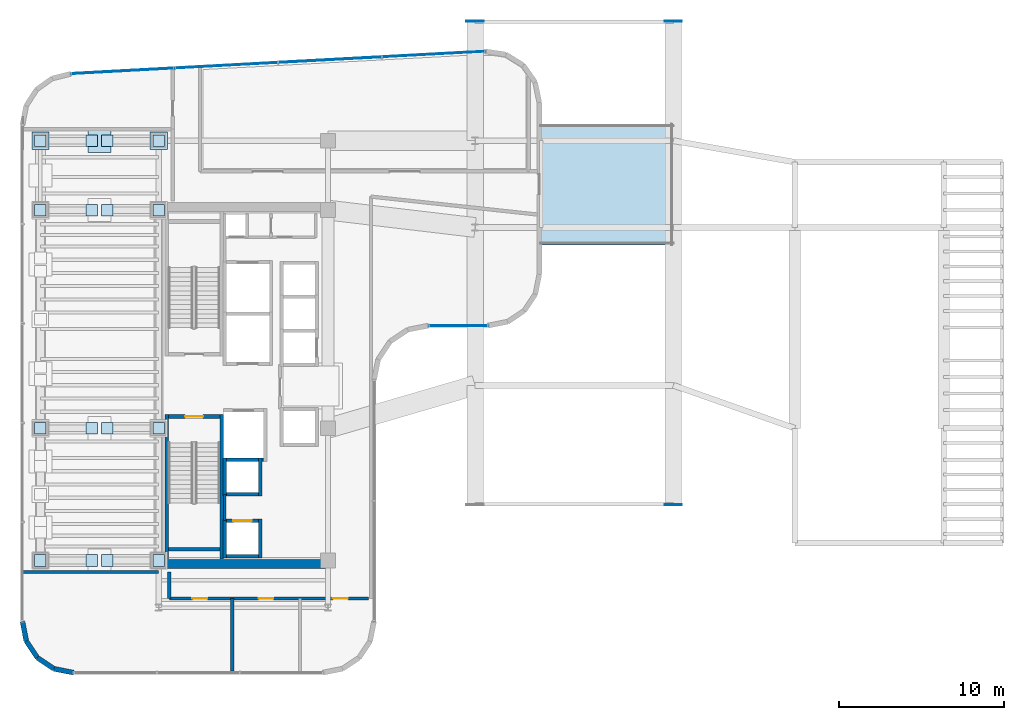
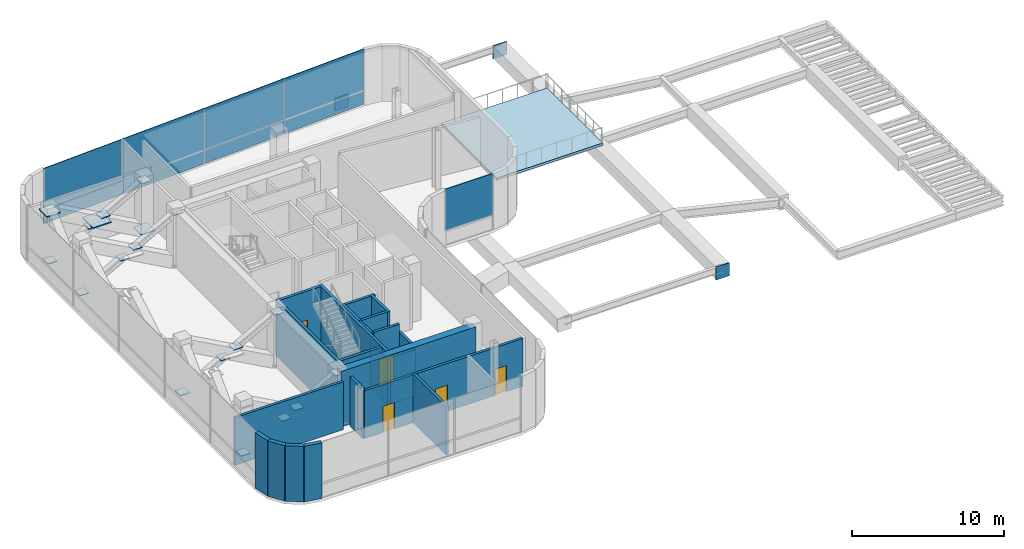
# One storey, part 16 of 20: 29 plates, 22 walls, 5 doors, 1 slab, 5 openings, 2 elements without a shape of their own.
"""IFC4 building model written with IfcOpenShell, lengths in metres."""

import ifcopenshell
import ifcopenshell.guid

model = None  # the IFC model being written
_history = None  # IfcOwnerHistory: only IFC2X3 demands one
_inside = {}  # id of a spatial element -> (the spatial element, [elements in it])
_under = {}  # id of a project, library or spatial element -> (it, [spatial elements below it])
_declared = {}  # id of a project -> (the project, [libraries it declares])
_typed = {}  # id of a type object -> (the type object, [elements of that type])
_made_of = {}  # id of a material, layer set ... -> (it, [elements and type objects made of it])


def new_model(schema):
    """Start an empty IFC model of exactly this schema.

    Asked for "IFC4X3", IfcOpenShell would pick the latest addendum, in which some entities
    have other attributes; the version numbers below select the first issue.
    IFC2X3 requires an IfcOwnerHistory on every rooted entity: one is made here for all.
    """
    global model, _history
    if schema == "IFC4X3":
        model = ifcopenshell.file(schema_version=(4, 3, 0, 0))
    else:
        model = ifcopenshell.file(schema=schema)
    _inside.clear()
    _under.clear()
    _declared.clear()
    _typed.clear()
    _made_of.clear()
    _history = None
    if model.schema == "IFC2X3":
        org = make("IfcOrganization", Name="unknown")
        user = make(
            "IfcPersonAndOrganization",
            ThePerson=make("IfcPerson", FamilyName="unknown"),
            TheOrganization=org,
        )
        app = make(
            "IfcApplication",
            ApplicationDeveloper=org,
            Version="unknown",
            ApplicationFullName="unknown",
            ApplicationIdentifier="unknown",
        )
        _history = make(
            "IfcOwnerHistory",
            OwningUser=user,
            OwningApplication=app,
            ChangeAction="ADDED",
            CreationDate=0,
        )
    return model


def make(cls, **values):
    """One entity of the class cls with the attributes given. An attribute that is None is left unset."""
    return model.create_entity(
        cls, **{name: value for name, value in values.items() if value is not None}
    )


def rooted(cls, **values):
    """An entity with a GlobalId (a new one), such as an element, a storey or a relation."""
    return make(cls, GlobalId=ifcopenshell.guid.new(), OwnerHistory=_history, **values)


def si_unit(unit_type, name, prefix=None):
    """IfcSIUnit, for example si_unit("LENGTHUNIT", "METRE", prefix="MILLI")."""
    return make("IfcSIUnit", UnitType=unit_type, Prefix=prefix, Name=name)


def assignment(units):
    """IfcUnitAssignment: the units of a project."""
    return None if units is None else make("IfcUnitAssignment", Units=units)


def point(xyz):
    """IfcCartesianPoint."""
    return None if xyz is None else make("IfcCartesianPoint", Coordinates=xyz)


def direction(xyz):
    """IfcDirection."""
    return None if xyz is None else make("IfcDirection", DirectionRatios=xyz)


def frame(location, z_axis=None, x_axis=None):
    """IfcAxis2Placement3D, a coordinate frame: its origin and axes. An axis left out is left unset."""
    return make(
        "IfcAxis2Placement3D",
        Location=point(location),
        Axis=direction(z_axis),
        RefDirection=direction(x_axis),
    )


def frame_2d(location, x_axis=None):
    """IfcAxis2Placement2D, a coordinate frame in the plane: its origin and x axis."""
    return make(
        "IfcAxis2Placement2D", Location=point(location), RefDirection=direction(x_axis)
    )


def origin():
    """The frame at (0, 0, 0) with its axes left unset."""
    return frame((0.0, 0.0, 0.0))


def origin_2d():
    """The frame at (0, 0) in the plane with its x axis left unset."""
    return frame_2d((0.0, 0.0))


def place(relative_to, where):
    """IfcLocalPlacement: puts the frame where relative to a parent placement (None: the world)."""
    return make(
        "IfcLocalPlacement", PlacementRelTo=relative_to, RelativePlacement=where
    )


def context(
    kind, dimensions, precision=None, world=None, true_north=None, identifier=None
):
    """IfcGeometricRepresentationContext, for example the 3D "Model" context."""
    return make(
        "IfcGeometricRepresentationContext",
        ContextIdentifier=identifier,
        ContextType=kind,
        CoordinateSpaceDimension=dimensions,
        Precision=precision,
        WorldCoordinateSystem=world,
        TrueNorth=true_north,
    )


def subcontext(parent, identifier, kind, view, scale=None):
    """IfcGeometricRepresentationSubContext, for example "Body" below "Model"."""
    return make(
        "IfcGeometricRepresentationSubContext",
        ContextIdentifier=identifier,
        ContextType=kind,
        ParentContext=parent,
        TargetScale=scale,
        TargetView=view,
    )


def project(units=None, contexts=None):
    """IfcProject with its units and contexts."""
    return rooted(
        "IfcProject",
        Name="project",
        RepresentationContexts=contexts,
        UnitsInContext=assignment(units),
    )


def spatial(cls, under=None, at=None, **own):
    """A site, building, storey or space (cls), placed at a placement, below another one or the project."""
    s = rooted(cls, ObjectPlacement=at, **own)
    if under is not None:
        _under.setdefault(under.id(), (under, []))[1].append(s)
    return s


def polyline(points):
    """IfcPolyline through the points."""
    return make("IfcPolyline", Points=[point(p) for p in points])


def profile(cls, at=None, kind="AREA", **sizes):
    """A parametric profile (cls). Its sizes go by their IFC names, for example OverallWidth=200.0."""
    return make(cls, ProfileType=kind, Position=at, **sizes)


def rectangle(**sizes):
    """IfcRectangleProfileDef."""
    return profile("IfcRectangleProfileDef", **sizes)


def outline(outer, holes=None, kind="AREA"):
    """IfcArbitraryClosedProfileDef: a profile drawn as a closed curve; with holes, ...WithVoids."""
    if holes is None:
        return make("IfcArbitraryClosedProfileDef", ProfileType=kind, OuterCurve=outer)
    return make(
        "IfcArbitraryProfileDefWithVoids",
        ProfileType=kind,
        OuterCurve=outer,
        InnerCurves=holes,
    )


def extrude(swept, where, along, depth):
    """IfcExtrudedAreaSolid: the profile swept, set in the frame where, extruded along a direction by depth."""
    return make(
        "IfcExtrudedAreaSolid",
        SweptArea=swept,
        Position=where,
        ExtrudedDirection=direction(along),
        Depth=depth,
    )


def shape(context_of_items, identifier, shape_type, items):
    """IfcShapeRepresentation: the items that make up one representation, for example the "Body"."""
    return make(
        "IfcShapeRepresentation",
        ContextOfItems=context_of_items,
        RepresentationIdentifier=identifier,
        RepresentationType=shape_type,
        Items=items,
    )


def source(mapping_origin, context_of_items, identifier, shape_type, items):
    """IfcRepresentationMap: a shape defined once, which mapped items show again and again."""
    return make(
        "IfcRepresentationMap",
        MappingOrigin=mapping_origin,
        MappedRepresentation=shape(context_of_items, identifier, shape_type, items),
    )


def transform(
    local_origin,
    x_axis=None,
    y_axis=None,
    z_axis=None,
    scale=None,
    scale2=None,
    scale3=None,
    uniform=True,
):
    """IfcCartesianTransformationOperator3D, or its non-uniform kind. x_axis, y_axis, z_axis: its Axis1, 2, 3."""
    if uniform:
        return make(
            "IfcCartesianTransformationOperator3D",
            Axis1=direction(x_axis),
            Axis2=direction(y_axis),
            LocalOrigin=point(local_origin),
            Scale=scale,
            Axis3=direction(z_axis),
        )
    return make(
        "IfcCartesianTransformationOperator3DnonUniform",
        Axis1=direction(x_axis),
        Axis2=direction(y_axis),
        LocalOrigin=point(local_origin),
        Scale=scale,
        Axis3=direction(z_axis),
        Scale2=scale2,
        Scale3=scale3,
    )


def mapped(mapping_source, mapping_target):
    """IfcMappedItem: shows the shape of a source again, moved by a transform."""
    return make(
        "IfcMappedItem", MappingSource=mapping_source, MappingTarget=mapping_target
    )


def material(Name=None, Category=None):
    """IfcMaterial."""
    return make("IfcMaterial", Name=Name, Category=Category)


def layer(
    of_material, thickness, ventilated=None, Name=None, Category=None, Priority=None
):
    """IfcMaterialLayer: one layer of a wall or slab, of a material (None: an air gap)."""
    return make(
        "IfcMaterialLayer",
        Material=of_material,
        LayerThickness=thickness,
        IsVentilated=ventilated,
        Name=Name,
        Category=Category,
        Priority=Priority,
    )


def layer_set(layers, Name=None):
    """IfcMaterialLayerSet."""
    return make("IfcMaterialLayerSet", MaterialLayers=layers, LayerSetName=Name)


def made_of(thing, what):
    """Note that an element or type object is made of a material, layer set ...; save() writes the relation."""
    if what is not None:
        _made_of.setdefault(what.id(), (what, []))[1].append(thing)
    return thing


def type_object(cls, material=None, **own):
    """A type object (cls), such as IfcWallType, which elements share."""
    return made_of(rooted(cls, **own), material)


def element(
    cls,
    number,
    at=None,
    inside=None,
    cuts=None,
    type_object=None,
    material=None,
    context=None,
    identifier="Body",
    shape_type=None,
    held_by="IfcProductDefinitionShape",
    body=None,
    shapes=None,
    **own,
):
    """One element of the class cls, such as IfcWall. Its Tag is "e" and its number.

    at: its placement. inside: the storey or other place that contains it. cuts: it is an
    opening in that element (IfcRelVoidsElement). A single representation is given by context,
    identifier, shape_type and body (its items); several are given by shapes. held_by: the class
    of the entity that holds the representations. save() writes the other relations.
    """
    e = rooted(cls, Tag="e%d" % number, ObjectPlacement=at, **own)
    if body is not None:
        shapes = [shape(context, identifier, shape_type, body)]
    if shapes is not None:
        e.Representation = make(held_by, Representations=shapes)
    if inside is not None:
        _inside.setdefault(inside.id(), (inside, []))[1].append(e)
    if cuts is not None:
        rooted(
            "IfcRelVoidsElement", RelatingBuildingElement=cuts, RelatedOpeningElement=e
        )
    if type_object is not None:
        _typed.setdefault(type_object.id(), (type_object, []))[1].append(e)
    return made_of(e, material)


def fill(opening, filler):
    """IfcRelFillsElement: the door or window that sits in an opening."""
    return rooted(
        "IfcRelFillsElement",
        RelatingOpeningElement=opening,
        RelatedBuildingElement=filler,
    )


def aggregate(whole, parts):
    """IfcRelAggregates: a whole, such as a stair, and the parts it consists of."""
    return rooted("IfcRelAggregates", RelatingObject=whole, RelatedObjects=parts)


def save(model, path):
    """Write the relations noted so far, then the file.

    IfcRelAggregates (storeys below a building ...), IfcRelContainedInSpatialStructure (elements
    in a storey), IfcRelDefinesByType, IfcRelAssociatesMaterial and IfcRelDeclares: one each for
    every whole, place, type object, material and project.
    """
    for whole, parts in _under.values():
        aggregate(whole, parts)
    for where, things in _inside.values():
        rooted(
            "IfcRelContainedInSpatialStructure",
            RelatedElements=things,
            RelatingStructure=where,
        )
    for kind, things in _typed.values():
        rooted("IfcRelDefinesByType", RelatedObjects=things, RelatingType=kind)
    for what, things in _made_of.values():
        rooted("IfcRelAssociatesMaterial", RelatedObjects=things, RelatingMaterial=what)
    for by, libraries in _declared.values():
        rooted("IfcRelDeclares", RelatingContext=by, RelatedDefinitions=libraries)
    model.write(path)


model = new_model("IFC4")

# Units and contexts
model_context = context("Model", 3, precision=1e-05, world=origin(), true_north=direction((0.0, 1.0)))
body_context = subcontext(model_context, "Body", "Model", "MODEL_VIEW")
ifc_project = project(units=[si_unit("LENGTHUNIT", "METRE"), si_unit("AREAUNIT", "SQUARE_METRE"), si_unit("VOLUMEUNIT", "CUBIC_METRE"), si_unit("PLANEANGLEUNIT", "RADIAN"), si_unit("MASSUNIT", "GRAM", prefix="KILO")], contexts=[model_context])

# Site, building, storey
site_placement = place(None, origin())
site = spatial("IfcSite", under=ifc_project, at=site_placement, CompositionType="ELEMENT")
building_placement = place(site_placement, origin())
building = spatial("IfcBuilding", under=site, at=building_placement, Name="Valdorenza Pilgrim Sanctuary Tower", CompositionType="ELEMENT")
storey_placement = place(building_placement, frame((0.0, 0.0, 196.300048828125)))
storey = spatial("IfcBuildingStorey", under=building, at=storey_placement, Name="L50", CompositionType="ELEMENT", Elevation=196.300048828125)

# Slab
ifc_material_1 = material(Name="Concrete C40/50", Category="concrete")
ifc_layer_1 = layer(ifc_material_1, 0.18994140625, Name="Concrete C40/50")
ifc_layer_set_1 = layer_set([ifc_layer_1], Name="Concrete C40/50")
slab_type = type_object("IfcSlabType", Name="SLAB-RFT-190", PredefinedType="ROOF", material=ifc_layer_set_1)
slab_placement = place(storey_placement, frame((0.0, 0.0, -0.18994140625)))
element("IfcSlab", 1, at=slab_placement, inside=storey, type_object=slab_type, Name="East Wing Roof Terrace", PredefinedType="ROOF", context=body_context, shape_type="SweptSolid", body=[
    extrude(outline(polyline([(0.449951171875, 8.5), (8.5, 8.5), (8.5, 15.800048828125), (0.449951171875, 15.800048828125), (0.449951171875, 8.5)])), origin(), (0.0, 0.0, 1.0), 0.18994140625),
])

# Plates
ifc_material_2 = material(Name="Steel ASTM A572 Grade 42", Category="steel")
ifc_layer_2 = layer(ifc_material_2, 0.06005859375, Name="Steel ASTM A572 Grade 42")
ifc_layer_set_2 = layer_set([ifc_layer_2], Name="Steel ASTM A572 Grade 42")
plate_type_1 = type_object("IfcPlateType", Name="PLT-CAP-60", PredefinedType="SHEET", material=ifc_layer_set_2)
shared_shape_1 = source(origin(), body_context, "Body", "SweptSolid", [
    extrude(rectangle(XDim=1.0400390625, YDim=0.06005859375, at=origin_2d()), origin(), (0.0, 0.0, 1.0), 1.0400390625),
])
for number, where, z_axis, x_axis, name in (
    (2, (-3.5, 22.030029296875, -1.260009765625), (0.0, 0.0, 1.0), (1.0, 0.0, 0.0), "L50 North Prow Cantilever End Cap W"),
    (3, (8.5, 22.030029296875, -1.260009765625), (0.0, 0.0, 1.0), (1.0, 0.0, 0.0), "L50 North Prow Cantilever End Cap E"),
    (4, (8.5, -7.22998046875, -1.260009765625), (0.0, 0.0, 1.0), (1.0, 0.0, 0.0), "L50 South Prow Cantilever End Cap E"),
):
    element("IfcPlate", number, at=place(storey_placement, frame(where, z_axis=z_axis, x_axis=x_axis)), inside=storey, type_object=plate_type_1, Name=name, PredefinedType="SHEET", context=body_context, shape_type="MappedRepresentation", body=[
        mapped(shared_shape_1, transform((0.0, 0.0, 0.0), x_axis=(1.0, 0.0, 0.0), y_axis=(0.0, 1.0, 0.0), z_axis=(0.0, 0.0, 1.0), scale=1.0)),
    ])
shared_shape_2 = source(origin(), body_context, "Body", "SweptSolid", [
    extrude(rectangle(XDim=1.050048828125, YDim=1.050048828125, at=origin_2d()), origin(), (0.0, 0.0, 1.0), 0.06005859375),
])
for number, where, z_axis, x_axis, name in (
    (5, (-22.64990234375, 14.800048828125, 0.169921875), (0.0, 0.0, 1.0), (1.0, 0.0, 0.0), "L50 Outrigger Truss Diagonal WA4A End Connection Plate 1"),
    (6, (-29.800048828125, 14.800048828125, 4.119873046875), (0.0, 0.0, 1.0), (1.0, 0.0, 0.0), "L50 Outrigger Truss Diagonal WA4A End Connection Plate 2"),
):
    element("IfcPlate", number, at=place(storey_placement, frame(where, z_axis=z_axis, x_axis=x_axis)), inside=storey, type_object=plate_type_1, Name=name, PredefinedType="SHEET", context=body_context, shape_type="MappedRepresentation", body=[
        mapped(shared_shape_2, transform((0.0, 0.0, 0.0), x_axis=(1.0, 0.0, 0.0), y_axis=(0.0, 1.0, 0.0), z_axis=(0.0, 0.0, 1.0), scale=1.0)),
    ])
ifc_layer_3 = layer(ifc_material_2, 0.090087890625, Name="Steel ASTM A572 Grade 42")
ifc_layer_set_3 = layer_set([ifc_layer_3], Name="Steel ASTM A572 Grade 42")
plate_type_2 = type_object("IfcPlateType", Name="PLT-GUS-90", PredefinedType="USERDEFINED", material=ifc_layer_set_3)
shared_shape_3 = source(origin(), body_context, "Body", "SweptSolid", [
    extrude(rectangle(XDim=1.39990234375, YDim=1.39990234375, at=origin_2d()), origin(), (0.0, 0.0, 1.0), 0.090087890625),
])
plate_1_placement = place(storey_placement, frame((-26.22509765625, 14.800048828125, 2.1298828125), z_axis=(0.0, 0.0, 1.0), x_axis=(1.0, 0.0, 0.0)))
element("IfcPlate", 7, at=plate_1_placement, inside=storey, type_object=plate_type_2, Name="Truss X-Brace Node Gusset Assembly ON-01 (MB-OUT-L50-WA4A)", ObjectType="GUSSET PLATE", PredefinedType="USERDEFINED", context=body_context, shape_type="MappedRepresentation", body=[
    mapped(shared_shape_3, transform((0.0, 0.0, 0.0), x_axis=(1.0, 0.0, 0.0), y_axis=(0.0, 1.0, 0.0), z_axis=(0.0, 0.0, 1.0), scale=1.0)),
])
shared_shape_4 = source(origin(), body_context, "Body", "SweptSolid", [
    extrude(rectangle(XDim=0.699951171875, YDim=0.699951171875, at=origin_2d()), origin(), (0.0, 0.0, 1.0), 0.06005859375),
])
for number, where, z_axis, x_axis, name in (
    (8, (-22.64990234375, -10.60009765625, 4.119873046875), (0.0, 0.0, 1.0), (1.0, 0.0, 0.0), "L50 Outrigger Truss Counter-Diagonal WA1B Lower Segment End Connection Plate 1"),
    (9, (-25.749267578125, -10.60009765625, 2.40771484375), (0.0, 0.0, 1.0), (1.0, 0.0, 0.0), "L50 Outrigger Truss Counter-Diagonal WA1B Lower Segment End Connection Plate 2"),
    (10, (-26.70068359375, -10.60009765625, 1.882080078125), (0.0, 0.0, 1.0), (1.0, 0.0, 0.0), "L50 Outrigger Truss Counter-Diagonal WA1B Upper Segment End Connection Plate 1"),
    (11, (-29.800048828125, -10.60009765625, 0.169921875), (0.0, 0.0, 1.0), (1.0, 0.0, 0.0), "L50 Outrigger Truss Counter-Diagonal WA1B Upper Segment End Connection Plate 2"),
    (12, (-22.64990234375, -2.60009765625, 4.119873046875), (0.0, 0.0, 1.0), (1.0, 0.0, 0.0), "L50 Outrigger Truss Counter-Diagonal WA2B Lower Segment End Connection Plate 1"),
    (13, (-25.749267578125, -2.60009765625, 2.40771484375), (0.0, 0.0, 1.0), (1.0, 0.0, 0.0), "L50 Outrigger Truss Counter-Diagonal WA2B Lower Segment End Connection Plate 2"),
    (14, (-26.70068359375, -2.60009765625, 1.882080078125), (0.0, 0.0, 1.0), (1.0, 0.0, 0.0), "L50 Outrigger Truss Counter-Diagonal WA2B Upper Segment End Connection Plate 1"),
    (15, (-29.800048828125, -2.60009765625, 0.169921875), (0.0, 0.0, 1.0), (1.0, 0.0, 0.0), "L50 Outrigger Truss Counter-Diagonal WA2B Upper Segment End Connection Plate 2"),
    (16, (-22.64990234375, 10.60009765625, 4.119873046875), (0.0, 0.0, 1.0), (1.0, 0.0, 0.0), "L50 Outrigger Truss Counter-Diagonal WA3B Lower Segment End Connection Plate 1"),
    (17, (-25.749267578125, 10.60009765625, 2.40771484375), (0.0, 0.0, 1.0), (1.0, 0.0, 0.0), "L50 Outrigger Truss Counter-Diagonal WA3B Lower Segment End Connection Plate 2"),
    (18, (-26.70068359375, 10.60009765625, 1.882080078125), (0.0, 0.0, 1.0), (1.0, 0.0, 0.0), "L50 Outrigger Truss Counter-Diagonal WA3B Upper Segment End Connection Plate 1"),
    (19, (-29.800048828125, 10.60009765625, 0.169921875), (0.0, 0.0, 1.0), (1.0, 0.0, 0.0), "L50 Outrigger Truss Counter-Diagonal WA3B Upper Segment End Connection Plate 2"),
    (20, (-22.64990234375, 14.800048828125, 4.119873046875), (0.0, 0.0, 1.0), (1.0, 0.0, 0.0), "L50 Outrigger Truss Counter-Diagonal WA4B Lower Segment End Connection Plate 1"),
    (21, (-25.749267578125, 14.800048828125, 2.40771484375), (0.0, 0.0, 1.0), (1.0, 0.0, 0.0), "L50 Outrigger Truss Counter-Diagonal WA4B Lower Segment End Connection Plate 2"),
    (22, (-26.70068359375, 14.800048828125, 1.882080078125), (0.0, 0.0, 1.0), (1.0, 0.0, 0.0), "L50 Outrigger Truss Counter-Diagonal WA4B Upper Segment End Connection Plate 1"),
    (23, (-29.800048828125, 14.800048828125, 0.169921875), (0.0, 0.0, 1.0), (1.0, 0.0, 0.0), "L50 Outrigger Truss Counter-Diagonal WA4B Upper Segment End Connection Plate 2"),
):
    element("IfcPlate", number, at=place(storey_placement, frame(where, z_axis=z_axis, x_axis=x_axis)), inside=storey, type_object=plate_type_1, Name=name, PredefinedType="SHEET", context=body_context, shape_type="MappedRepresentation", body=[
        mapped(shared_shape_4, transform((0.0, 0.0, 0.0), x_axis=(1.0, 0.0, 0.0), y_axis=(0.0, 1.0, 0.0), z_axis=(0.0, 0.0, 1.0), scale=1.0)),
    ])

# Curtain wall, plates
ifc_material_3 = material(Name="Curtain-wall IGU glazing", Category="glass")
curtain_wall_type = type_object("IfcCurtainWallType", Name="CW-SYS-02", PredefinedType="NOTDEFINED", material=ifc_material_3)
curtain_wall_1_placement = place(storey_placement, origin())
curtain_wall_1 = element("IfcCurtainWall", 24, at=curtain_wall_1_placement, inside=storey, type_object=curtain_wall_type, Name="L50 Curtain Wall CW-L50-1-6", PredefinedType="NOTDEFINED")
ifc_material_4 = material(Name="Honed travertine limestone", Category="masonry")
ifc_layer_4 = layer(ifc_material_4, 0.050048828125, Name="Honed travertine limestone")
ifc_layer_set_4 = layer_set([ifc_layer_4], Name="Honed travertine limestone")
plate_type_3 = type_object("IfcPlateType", Name="CW-SPN-TRV", PredefinedType="USERDEFINED", material=ifc_layer_set_4)
shared_shape_5 = source(origin(), body_context, "Body", "SweptSolid", [
    extrude(rectangle(XDim=6.2587890625, YDim=0.06005859375, at=origin_2d()), origin(), (0.0, 0.0, 1.0), 1.10009765625),
])
plate_2_placement = place(storey_placement, frame((-24.8212890625, 19.023193359375, 0.010009765625), z_axis=(0.0, 0.0, 1.0), x_axis=(0.998547034311, 0.053887106711, 0.0)))
plate_2 = element("IfcPlate", 25, at=plate_2_placement, type_object=plate_type_3, Name="CW-L50-1-6 Travertine Spandrel 1", ObjectType="SPANDREL", PredefinedType="USERDEFINED", context=body_context, shape_type="MappedRepresentation", body=[
    mapped(shared_shape_5, transform((0.0, 0.0, 0.0), x_axis=(1.0, 0.0, 0.0), y_axis=(0.0, 1.0, 0.0), z_axis=(0.0, 0.0, 1.0), scale=1.0)),
])
plate_3_placement = place(storey_placement, frame((-12.281982421875, 19.699951171875, 0.010009765625), z_axis=(0.0, 0.0, 1.0), x_axis=(0.998547034311, 0.053887106711, 0.0)))
plate_3 = element("IfcPlate", 26, at=plate_3_placement, type_object=plate_type_3, Name="CW-L50-1-6 Travertine Spandrel 3", ObjectType="SPANDREL", PredefinedType="USERDEFINED", context=body_context, shape_type="MappedRepresentation", body=[
    mapped(shared_shape_5, transform((0.0, 0.0, 0.0), x_axis=(1.0, 0.0, 0.0), y_axis=(0.0, 1.0, 0.0), z_axis=(0.0, 0.0, 1.0), scale=1.0)),
])
ifc_material_5 = material(Name="Champagne anodised aluminium", Category="aluminium")
ifc_layer_5 = layer(ifc_material_5, 0.080078125, Name="Champagne anodised aluminium")
ifc_layer_set_5 = layer_set([ifc_layer_5], Name="Champagne anodised aluminium")
plate_type_4 = type_object("IfcPlateType", Name="LVR-PLT-ALU", PredefinedType="USERDEFINED", material=ifc_layer_set_5)
shared_shape_6 = source(origin(), body_context, "Body", "SweptSolid", [
    extrude(rectangle(XDim=6.2587890625, YDim=0.050048828125, at=origin_2d()), origin(), (0.0, 0.0, 1.0), 3.320068359375),
])
plate_4_placement = place(storey_placement, frame((-24.8212890625, 19.023193359375, 1.1298828125), z_axis=(0.0, 0.0, 1.0), x_axis=(0.998547034311, 0.053887106711, 0.0)))
plate_4 = element("IfcPlate", 27, at=plate_4_placement, type_object=plate_type_4, Name="CW-L50-1-6 Facade Panel 1", ObjectType="LOUVRE", PredefinedType="USERDEFINED", context=body_context, shape_type="MappedRepresentation", body=[
    mapped(shared_shape_6, transform((0.0, 0.0, 0.0), x_axis=(1.0, 0.0, 0.0), y_axis=(0.0, 1.0, 0.0), z_axis=(0.0, 0.0, 1.0), scale=1.0)),
])
plate_5_placement = place(storey_placement, frame((-12.281982421875, 19.699951171875, 1.1298828125), z_axis=(0.0, 0.0, 1.0), x_axis=(0.998547034311, 0.053887106711, 0.0)))
plate_5 = element("IfcPlate", 28, at=plate_5_placement, type_object=plate_type_4, Name="CW-L50-1-6 Facade Panel 3", ObjectType="LOUVRE", PredefinedType="USERDEFINED", context=body_context, shape_type="MappedRepresentation", body=[
    mapped(shared_shape_6, transform((0.0, 0.0, 0.0), x_axis=(1.0, 0.0, 0.0), y_axis=(0.0, 1.0, 0.0), z_axis=(0.0, 0.0, 1.0), scale=1.0)),
])
shared_shape_7 = source(origin(), body_context, "Body", "SweptSolid", [
    extrude(rectangle(XDim=6.2587890625, YDim=0.050048828125, at=origin_2d()), origin(), (0.0, 0.0, 1.0), 4.43994140625),
])
plate_6_placement = place(storey_placement, frame((-18.551513671875, 19.36181640625, 0.010009765625), z_axis=(0.0, 0.0, 1.0), x_axis=(0.998547034311, 0.053887106711, 0.0)))
plate_6 = element("IfcPlate", 29, at=plate_6_placement, type_object=plate_type_4, Name="CW-L50-1-6 Full-Height Facade Panel 2", ObjectType="LOUVRE", PredefinedType="USERDEFINED", context=body_context, shape_type="MappedRepresentation", body=[
    mapped(shared_shape_7, transform((0.0, 0.0, 0.0), x_axis=(1.0, 0.0, 0.0), y_axis=(0.0, 1.0, 0.0), z_axis=(0.0, 0.0, 1.0), scale=1.0)),
])
plate_7_placement = place(storey_placement, frame((-6.012451171875, 20.038330078125, 0.010009765625), z_axis=(0.0, 0.0, 1.0), x_axis=(0.998547034311, 0.053887106711, 0.0)))
plate_7 = element("IfcPlate", 30, at=plate_7_placement, type_object=plate_type_4, Name="CW-L50-1-6 Full-Height Facade Panel 4", ObjectType="LOUVRE", PredefinedType="USERDEFINED", context=body_context, shape_type="MappedRepresentation", body=[
    mapped(shared_shape_7, transform((0.0, 0.0, 0.0), x_axis=(1.0, 0.0, 0.0), y_axis=(0.0, 1.0, 0.0), z_axis=(0.0, 0.0, 1.0), scale=1.0)),
])
aggregate(curtain_wall_1, [plate_2, plate_4, plate_6, plate_3, plate_5, plate_7])

# Curtain wall, plate
curtain_wall_2_placement = place(storey_placement, origin())
curtain_wall_2 = element("IfcCurtainWall", 31, at=curtain_wall_2_placement, inside=storey, type_object=curtain_wall_type, Name="L50 Curtain Wall CW-L50-1-16", PredefinedType="NOTDEFINED")
shared_shape_8 = source(origin(), body_context, "Body", "SweptSolid", [
    extrude(rectangle(XDim=3.580078125, YDim=0.050048828125, at=origin_2d()), origin(), (0.0, 0.0, 1.0), 3.320068359375),
])
plate_8_placement = place(storey_placement, frame((-4.5107421875, 3.610107421875, 1.1298828125), z_axis=(0.0, 0.0, 1.0), x_axis=(-1.0, 0.0, 0.0)))
plate_8 = element("IfcPlate", 32, at=plate_8_placement, type_object=plate_type_4, Name="CW-L50-1-16 Facade Panel 1", ObjectType="LOUVRE", PredefinedType="USERDEFINED", context=body_context, shape_type="MappedRepresentation", body=[
    mapped(shared_shape_8, transform((0.0, 0.0, 0.0), x_axis=(1.0, 0.0, 0.0), y_axis=(0.0, 1.0, 0.0), z_axis=(0.0, 0.0, 1.0), scale=1.0)),
])
aggregate(curtain_wall_2, [plate_8])

# Walls
ifc_material_6 = material(Name="Acoustic twin-stud gypsum partition", Category="gypsum")
ifc_layer_6 = layer(ifc_material_6, 0.159912109375, Name="Acoustic twin-stud gypsum partition")
ifc_layer_set_6 = layer_set([ifc_layer_6], Name="Acoustic twin-stud gypsum partition")
wall_type_1 = type_object("IfcWallType", Name="WAL-COR-160", PredefinedType="PARTITIONING", material=ifc_layer_set_6)
wall_1_placement = place(storey_placement, frame((-18.64990234375, -8.179931640625, 0.0), z_axis=(0.0, 0.0, 1.0), x_axis=(0.0, 1.0, 0.0)))
element("IfcWall", 33, at=wall_1_placement, inside=storey, type_object=wall_type_1, Name="L50 Core A South Lift Hall West Wall", PredefinedType="PARTITIONING", context=body_context, shape_type="SweptSolid", body=[
    extrude(rectangle(XDim=1.559814453125, YDim=0.159912109375, at=frame_2d((0.77978515625, 0.0))), origin(), (0.0, 0.0, 1.0), 4.4599609375),
])
ifc_material_7 = material(Name="Concrete C50/60", Category="concrete")
ifc_layer_7 = layer(ifc_material_7, 0.550048828125, Name="Concrete C50/60")
ifc_layer_set_7 = layer_set([ifc_layer_7], Name="Concrete C50/60")
wall_type_2 = type_object("IfcWallType", Name="WAL-COR-550", PredefinedType="SHEAR", material=ifc_layer_set_7)
wall_2_placement = place(storey_placement, frame((-22.64990234375, -10.800048828125, 0.0), z_axis=(0.0, 0.0, 1.0), x_axis=(1.0, 0.0, 0.0)))
element("IfcWall", 34, at=wall_2_placement, inside=storey, type_object=wall_type_2, Name="L50 Split Core A Shear Wall S", PredefinedType="SHEAR", context=body_context, shape_type="SweptSolid", body=[
    extrude(rectangle(XDim=10.25, YDim=0.550048828125, at=frame_2d((5.125, 0.0))), origin(), (0.0, 0.0, 1.0), 4.4599609375),
])
ifc_layer_8 = layer(ifc_material_4, 0.300048828125, Name="Honed travertine limestone")
ifc_layer_set_8 = layer_set([ifc_layer_8], Name="Honed travertine limestone")
wall_type_3 = type_object("IfcWallType", Name="WAL-EXT-300", PredefinedType="SOLIDWALL", material=ifc_layer_set_8)
wall_3_placement = place(storey_placement, frame((-27.789306640625, -17.389892578125, 0.0), z_axis=(0.0, 0.0, 1.0), x_axis=(-0.980804027463, 0.194996050505, 0.0)))
element("IfcWall", 35, at=wall_3_placement, inside=storey, type_object=wall_type_3, Name="L50 Rounded Wind-Corner Stone Pier 27", PredefinedType="SOLIDWALL", context=body_context, shape_type="SweptSolid", body=[
    extrude(rectangle(XDim=1.2158203125, YDim=0.300048828125, at=frame_2d((0.60791015625, 0.0))), origin(), (0.0, 0.0, 1.0), 4.4599609375),
])
for number, where, z_axis, x_axis, name in (
    (36, (-28.981689453125, -17.15283203125, 0.0), (0.0, 0.0, 1.0), (-0.831426265255, 0.555635100982, 0.0), "L50 Rounded Wind-Corner Stone Pier 28"),
    (37, (-29.9833984375, -16.4833984375, 0.0), (0.0, 0.0, 1.0), (-0.555635100982, 0.831426265255, 0.0), "L50 Rounded Wind-Corner Stone Pier 29"),
):
    element("IfcWall", number, at=place(storey_placement, frame(where, z_axis=z_axis, x_axis=x_axis)), inside=storey, type_object=wall_type_3, Name=name, PredefinedType="SOLIDWALL", context=body_context, shape_type="SweptSolid", body=[
        extrude(rectangle(XDim=1.204833984375, YDim=0.300048828125, at=frame_2d((0.6025390625, 0.0))), origin(), (0.0, 0.0, 1.0), 4.4599609375),
    ])
wall_4_placement = place(storey_placement, frame((-30.65283203125, -15.481689453125, 0.0), z_axis=(0.0, 0.0, 1.0), x_axis=(-0.194996050505, 0.980804027463, 0.0)))
element("IfcWall", 38, at=wall_4_placement, inside=storey, type_object=wall_type_3, Name="L50 Rounded Wind-Corner Stone Pier 30", PredefinedType="SOLIDWALL", context=body_context, shape_type="SweptSolid", body=[
    extrude(rectangle(XDim=1.2158203125, YDim=0.300048828125, at=frame_2d((0.60791015625, 0.0))), origin(), (0.0, 0.0, 1.0), 4.4599609375),
])
ifc_material_8 = material(Name="Gypsum shaftwall partition", Category="gypsum")
ifc_layer_9 = layer(ifc_material_8, 0.199951171875, Name="Gypsum shaftwall partition")
ifc_layer_set_9 = layer_set([ifc_layer_9], Name="Gypsum shaftwall partition")
wall_type_4 = type_object("IfcWallType", Name="WAL-FFL-200", PredefinedType="PARTITIONING", material=ifc_layer_set_9)
wall_5_placement = place(storey_placement, frame((-30.889892578125, -11.300048828125, 0.0), z_axis=(0.0, 0.0, 1.0), x_axis=(1.0, 0.0, 0.0)))
element("IfcWall", 39, at=wall_5_placement, inside=storey, type_object=wall_type_4, Name="L50 L50 Outrigger Bay South Wall", PredefinedType="PARTITIONING", context=body_context, shape_type="SweptSolid", body=[
    extrude(rectangle(XDim=8.239990234375, YDim=0.199951171875, at=frame_2d((4.1201171875, 0.0))), origin(), (0.0, 0.0, 1.0), 3.833984375),
])

# Wall, openings, doors
wall_6_placement = place(storey_placement, frame((-22.0, -12.89990234375, 0.0), z_axis=(0.0, 0.0, 1.0), x_axis=(1.0, 0.0, 0.0)))
wall_6 = element("IfcWall", 40, at=wall_6_placement, inside=storey, type_object=wall_type_4, Name="L50 L50 South Plant Corridor Wall", PredefinedType="PARTITIONING", context=body_context, shape_type="SweptSolid", body=[
    extrude(rectangle(XDim=12.050048828125, YDim=0.199951171875, at=frame_2d((6.02490234375, 0.0))), origin(), (0.0, 0.0, 1.0), 3.833984375),
])
opening_1_placement = place(wall_6_placement, frame((1.39990234375, 0.0, 0.0)))
opening_1 = element("IfcOpeningElement", 41, at=opening_1_placement, cuts=wall_6, Name="Opening DR-RM1", PredefinedType="OPENING", context=body_context, shape_type="SweptSolid", body=[
    extrude(rectangle(XDim=0.89990234375, YDim=2.10009765625, at=frame_2d((0.449951171875, 1.050048828125))), frame((0.0, 0.11474609375, 0.0), z_axis=(0.0, -1.0, 0.0), x_axis=(1.0, 0.0, 0.0)), (0.0, 0.0, 1.0), 0.229736328125),
])
opening_2_placement = place(wall_6_placement, frame((5.39990234375, 0.0, 0.0)))
opening_2 = element("IfcOpeningElement", 42, at=opening_2_placement, cuts=wall_6, Name="Opening DR-RM1", PredefinedType="OPENING", context=body_context, shape_type="SweptSolid", body=[
    extrude(rectangle(XDim=0.89990234375, YDim=2.10009765625, at=frame_2d((0.449951171875, 1.050048828125))), frame((0.0, 0.11474609375, 0.0), z_axis=(0.0, -1.0, 0.0), x_axis=(1.0, 0.0, 0.0)), (0.0, 0.0, 1.0), 0.229736328125),
])
opening_3_placement = place(wall_6_placement, frame((9.89990234375, 0.0, 0.0)))
opening_3 = element("IfcOpeningElement", 43, at=opening_3_placement, cuts=wall_6, Name="Opening DR-RM1", PredefinedType="OPENING", context=body_context, shape_type="SweptSolid", body=[
    extrude(rectangle(XDim=0.89990234375, YDim=2.10009765625, at=frame_2d((0.449951171875, 1.050048828125))), frame((0.0, 0.11474609375, 0.0), z_axis=(0.0, -1.0, 0.0), x_axis=(1.0, 0.0, 0.0)), (0.0, 0.0, 1.0), 0.229736328125),
])
ifc_material_9 = material(Name="Solid-core European oak timber", Category="wood")
door_type_1 = type_object("IfcDoorType", Name="DR-ROOM-900", OperationType="NOTDEFINED", PredefinedType="DOOR", material=ifc_material_9)
door_1_placement = place(opening_1_placement, frame((0.89990234375, 0.0, 0.0), z_axis=(0.0, 0.0, 1.0), x_axis=(-1.0, 0.0, 0.0)))
door_1 = element("IfcDoor", 44, at=door_1_placement, inside=storey, type_object=door_type_1, Name="L50 L50 Chilled-Water Booster Plant Room Door", OperationType="SINGLE_SWING_LEFT", OverallHeight=2.10009765625, OverallWidth=0.89990234375, PredefinedType="DOOR", context=body_context, shape_type="SweptSolid", body=[
    extrude(rectangle(XDim=0.89990234375, YDim=2.10009765625, at=frame_2d((0.449951171875, 1.050048828125))), frame((0.0, 0.02490234375, 0.0), z_axis=(0.0, -1.0, 0.0), x_axis=(1.0, 0.0, 0.0)), (0.0, 0.0, 1.0), 0.050048828125),
])
fill(opening_1, door_1)
door_2_placement = place(opening_2_placement, origin())
door_2 = element("IfcDoor", 45, at=door_2_placement, inside=storey, type_object=door_type_1, Name="L50 L50 Primary Air-Handling Plant Room Door", OperationType="SINGLE_SWING_RIGHT", OverallHeight=2.10009765625, OverallWidth=0.89990234375, PredefinedType="DOOR", context=body_context, shape_type="SweptSolid", body=[
    extrude(rectangle(XDim=0.89990234375, YDim=2.10009765625, at=frame_2d((0.449951171875, 1.050048828125))), frame((0.0, 0.02490234375, 0.0), z_axis=(0.0, -1.0, 0.0), x_axis=(1.0, 0.0, 0.0)), (0.0, 0.0, 1.0), 0.050048828125),
])
fill(opening_2, door_2)
door_3_placement = place(opening_3_placement, frame((0.89990234375, 0.0, 0.0), z_axis=(0.0, 0.0, 1.0), x_axis=(-1.0, 0.0, 0.0)))
door_3 = element("IfcDoor", 46, at=door_3_placement, inside=storey, type_object=door_type_1, Name="L50 L50 Electrical Substation Transformer Plant Room Door", OperationType="SINGLE_SWING_LEFT", OverallHeight=2.10009765625, OverallWidth=0.89990234375, PredefinedType="DOOR", context=body_context, shape_type="SweptSolid", body=[
    extrude(rectangle(XDim=0.89990234375, YDim=2.10009765625, at=frame_2d((0.449951171875, 1.050048828125))), frame((0.0, 0.02490234375, 0.0), z_axis=(0.0, -1.0, 0.0), x_axis=(1.0, 0.0, 0.0)), (0.0, 0.0, 1.0), 0.050048828125),
])
fill(opening_3, door_3)

# Walls
wall_7_placement = place(storey_placement, frame((-18.199951171875, -17.300048828125, 0.0), z_axis=(0.0, 0.0, 1.0), x_axis=(0.0, 1.0, 0.0)))
element("IfcWall", 47, at=wall_7_placement, inside=storey, type_object=wall_type_4, Name="L50 L50 South Plant Divider 1", PredefinedType="PARTITIONING", context=body_context, shape_type="SweptSolid", body=[
    extrude(rectangle(XDim=4.400146484375, YDim=0.199951171875, at=frame_2d((2.2001953125, 0.0))), origin(), (0.0, 0.0, 1.0), 3.906005859375),
])
wall_8_placement = place(storey_placement, frame((-22.0, -12.89990234375, 0.0), z_axis=(0.0, 0.0, 1.0), x_axis=(0.0, 1.0, 0.0)))
element("IfcWall", 48, at=wall_8_placement, inside=storey, type_object=wall_type_4, Name="L50 L50 South Corridor West End", PredefinedType="PARTITIONING", context=body_context, shape_type="SweptSolid", body=[
    extrude(rectangle(XDim=1.599853515625, YDim=0.199951171875, at=frame_2d((0.7998046875, 0.0))), origin(), (0.0, 0.0, 1.0), 3.988037109375),
])
ifc_material_10 = material(Name="Autoclaved aerated concrete blockwork", Category="masonry")
ifc_layer_10 = layer(ifc_material_10, 0.199951171875, Name="Autoclaved aerated concrete blockwork")
ifc_layer_set_10 = layer_set([ifc_layer_10], Name="Autoclaved aerated concrete blockwork")
wall_type_5 = type_object("IfcWallType", Name="WAL-SHF-200", PredefinedType="MOVABLE", material=ifc_layer_set_10)
wall_9_placement = place(storey_placement, frame((-18.719970703125, -4.5, 0.0), z_axis=(0.0, 0.0, 1.0), x_axis=(1.0, 0.0, 0.0)))
element("IfcWall", 49, at=wall_9_placement, inside=storey, type_object=wall_type_5, Name="L50 Lift FFL-02 Hoistway Wall South", PredefinedType="MOVABLE", context=body_context, shape_type="SweptSolid", body=[
    extrude(rectangle(XDim=2.419921875, YDim=0.199951171875, at=frame_2d((1.2099609375, 0.0))), origin(), (0.0, 0.0, 1.0), 4.4599609375),
])
for number, where, z_axis, x_axis, name in (
    (50, (-18.64990234375, -10.449951171875, 0.0), (0.0, 0.0, 1.0), (0.0, 1.0, 0.0), "L50 Lift PL-05 Hoistway Wall West"),
    (51, (-16.5, -10.449951171875, 0.0), (0.0, 0.0, 1.0), (0.0, 1.0, 0.0), "L50 Lift PL-05 Hoistway Wall East"),
):
    element("IfcWall", number, at=place(storey_placement, frame(where, z_axis=z_axis, x_axis=x_axis)), inside=storey, type_object=wall_type_5, Name=name, PredefinedType="MOVABLE", context=body_context, shape_type="SweptSolid", body=[
        extrude(rectangle(XDim=2.349853515625, YDim=0.199951171875, at=frame_2d((1.1748046875, 0.0))), origin(), (0.0, 0.0, 1.0), 3.743896484375),
    ])
wall_10_placement = place(storey_placement, frame((-18.550048828125, -10.35009765625, 0.0), z_axis=(0.0, 0.0, 1.0), x_axis=(1.0, 0.0, 0.0)))
element("IfcWall", 52, at=wall_10_placement, inside=storey, type_object=wall_type_5, Name="L50 Lift PL-05 Hoistway Wall South", PredefinedType="MOVABLE", context=body_context, shape_type="SweptSolid", body=[
    extrude(rectangle(XDim=1.949951171875, YDim=0.199951171875, at=frame_2d((0.97509765625, 0.0))), origin(), (0.0, 0.0, 1.0), 3.743896484375),
])

# Wall, opening, door
wall_11_placement = place(storey_placement, frame((-18.550048828125, -8.199951171875, 0.0), z_axis=(0.0, 0.0, 1.0), x_axis=(1.0, 0.0, 0.0)))
wall_11 = element("IfcWall", 53, at=wall_11_placement, inside=storey, type_object=wall_type_5, Name="L50 Lift PL-05 Hoistway Wall North", PredefinedType="MOVABLE", context=body_context, shape_type="SweptSolid", body=[
    extrude(rectangle(XDim=1.949951171875, YDim=0.199951171875, at=frame_2d((0.97509765625, 0.0))), origin(), (0.0, 0.0, 1.0), 4.4599609375),
])
opening_4_placement = place(wall_11_placement, frame((0.425048828125, 0.0, 0.0)))
opening_4 = element("IfcOpeningElement", 54, at=opening_4_placement, cuts=wall_11, Name="Opening LD-01", PredefinedType="OPENING", context=body_context, shape_type="SweptSolid", body=[
    extrude(rectangle(XDim=1.10009765625, YDim=2.10009765625, at=frame_2d((0.550048828125, 1.050048828125))), frame((0.0, 0.11474609375, 0.0), z_axis=(0.0, -1.0, 0.0), x_axis=(1.0, 0.0, 0.0)), (0.0, 0.0, 1.0), 0.229736328125),
])
ifc_material_11 = material(Name="Brushed stainless steel Grade 316", Category="steel")
door_type_2 = type_object("IfcDoorType", Name="DR-LFT-1100", OperationType="DOUBLE_DOOR_SLIDING", PredefinedType="DOOR", material=ifc_material_11)
door_4_placement = place(opening_4_placement, origin())
door_4 = element("IfcDoor", 55, at=door_4_placement, inside=storey, type_object=door_type_2, Name="L50 Lift PL-05 Sliding Landing Door", OperationType="DOUBLE_DOOR_SLIDING", OverallHeight=2.10009765625, OverallWidth=1.10009765625, PredefinedType="DOOR", context=body_context, shape_type="SweptSolid", body=[
    extrude(rectangle(XDim=1.10009765625, YDim=2.10009765625, at=frame_2d((0.550048828125, 1.050048828125))), frame((0.0, 0.02490234375, 0.0), z_axis=(0.0, -1.0, 0.0), x_axis=(1.0, 0.0, 0.0)), (0.0, 0.0, 1.0), 0.050048828125),
])
fill(opening_4, door_4)

# Walls
for number, where, z_axis, x_axis, name in (
    (56, (-18.64990234375, -6.699951171875, 0.0), (0.0, 0.0, 1.0), (0.0, 1.0, 0.0), "L50 Lift PL-11 Hoistway Wall West"),
    (57, (-16.5, -6.699951171875, 0.0), (0.0, 0.0, 1.0), (0.0, 1.0, 0.0), "L50 Lift PL-11 Hoistway Wall East"),
):
    element("IfcWall", number, at=place(storey_placement, frame(where, z_axis=z_axis, x_axis=x_axis)), inside=storey, type_object=wall_type_5, Name=name, PredefinedType="MOVABLE", context=body_context, shape_type="SweptSolid", body=[
        extrude(rectangle(XDim=2.300048828125, YDim=0.199951171875, at=frame_2d((1.14990234375, 0.0))), origin(), (0.0, 0.0, 1.0), 4.4599609375),
    ])
wall_12_placement = place(storey_placement, frame((-18.550048828125, -6.60009765625, 0.0), z_axis=(0.0, 0.0, 1.0), x_axis=(1.0, 0.0, 0.0)))
element("IfcWall", 58, at=wall_12_placement, inside=storey, type_object=wall_type_5, Name="L50 Lift PL-11 Hoistway Wall South", PredefinedType="MOVABLE", context=body_context, shape_type="SweptSolid", body=[
    extrude(rectangle(XDim=1.949951171875, YDim=0.199951171875, at=frame_2d((0.97509765625, 0.0))), origin(), (0.0, 0.0, 1.0), 4.4599609375),
])
ifc_layer_11 = layer(ifc_material_1, 0.219970703125, Name="Concrete C40/50")
ifc_layer_set_11 = layer_set([ifc_layer_11], Name="Concrete C40/50")
wall_type_6 = type_object("IfcWallType", Name="WAL-STR-SHF-220", PredefinedType="SHEAR", material=ifc_layer_set_11)
for number, where, z_axis, x_axis, name in (
    (59, (-22.159912109375, -10.52490234375, 0.0), (0.0, 0.0, 1.0), (0.0, 1.0, 0.0), "L50 ST-A2 Structural Stairwell Wall W"),
    (60, (-18.830078125, -10.52490234375, 0.0), (0.0, 0.0, 1.0), (0.0, 1.0, 0.0), "L50 ST-A2 Structural Stairwell Wall E"),
):
    element("IfcWall", number, at=place(storey_placement, frame(where, z_axis=z_axis, x_axis=x_axis)), inside=storey, type_object=wall_type_6, Name=name, PredefinedType="SHEAR", context=body_context, shape_type="SweptSolid", body=[
        extrude(rectangle(XDim=8.744873046875, YDim=0.219970703125, at=frame_2d((4.37255859375, 0.0))), origin(), (0.0, 0.0, 1.0), 4.4599609375),
    ])
wall_13_placement = place(storey_placement, frame((-22.050048828125, -9.909912109375, 0.0), z_axis=(0.0, 0.0, 1.0), x_axis=(1.0, 0.0, 0.0)))
element("IfcWall", 61, at=wall_13_placement, inside=storey, type_object=wall_type_6, Name="L50 ST-A2 Structural Stairwell Wall S", PredefinedType="SHEAR", context=body_context, shape_type="SweptSolid", body=[
    extrude(rectangle(XDim=3.110107421875, YDim=0.219970703125, at=frame_2d((1.55517578125, 0.0))), origin(), (0.0, 0.0, 1.0), 4.4599609375),
])

# Wall, opening, door
wall_14_placement = place(storey_placement, frame((-22.050048828125, -1.889892578125, 0.0), z_axis=(0.0, 0.0, 1.0), x_axis=(1.0, 0.0, 0.0)))
wall_14 = element("IfcWall", 62, at=wall_14_placement, inside=storey, type_object=wall_type_6, Name="L50 ST-A2 Structural Stairwell Wall N", PredefinedType="SHEAR", context=body_context, shape_type="SweptSolid", body=[
    extrude(rectangle(XDim=3.110107421875, YDim=0.219970703125, at=frame_2d((1.55517578125, 0.0))), origin(), (0.0, 0.0, 1.0), 4.4599609375),
])
opening_5_placement = place(wall_14_placement, frame((1.0, 0.0, 0.0)))
opening_5 = element("IfcOpeningElement", 63, at=opening_5_placement, cuts=wall_14, Name="Opening DR-ST1", PredefinedType="OPENING", context=body_context, shape_type="SweptSolid", body=[
    extrude(rectangle(XDim=1.10009765625, YDim=2.14990234375, at=frame_2d((0.550048828125, 1.074951171875))), frame((0.0, 0.125, 0.0), z_axis=(0.0, -1.0, 0.0), x_axis=(1.0, 0.0, 0.0)), (0.0, 0.0, 1.0), 0.249755859375),
])
ifc_material_12 = material(Name="Painted galvanized steel", Category="steel")
door_type_3 = type_object("IfcDoorType", Name="DR-STAIR-1100", OperationType="NOTDEFINED", PredefinedType="DOOR", material=ifc_material_12)
door_5_placement = place(opening_5_placement, origin())
door_5 = element("IfcDoor", 64, at=door_5_placement, inside=storey, type_object=door_type_3, Name="L50 Exit Stair ST-A2 Door", OperationType="SINGLE_SWING_RIGHT", OverallHeight=2.14990234375, OverallWidth=1.10009765625, PredefinedType="DOOR", context=body_context, shape_type="SweptSolid", body=[
    extrude(rectangle(XDim=1.10009765625, YDim=2.14990234375, at=frame_2d((0.550048828125, 1.074951171875))), frame((0.0, 0.02490234375, 0.0), z_axis=(0.0, -1.0, 0.0), x_axis=(1.0, 0.0, 0.0)), (0.0, 0.0, 1.0), 0.050048828125),
])
fill(opening_5, door_5)

save(model, "model.ifc")
